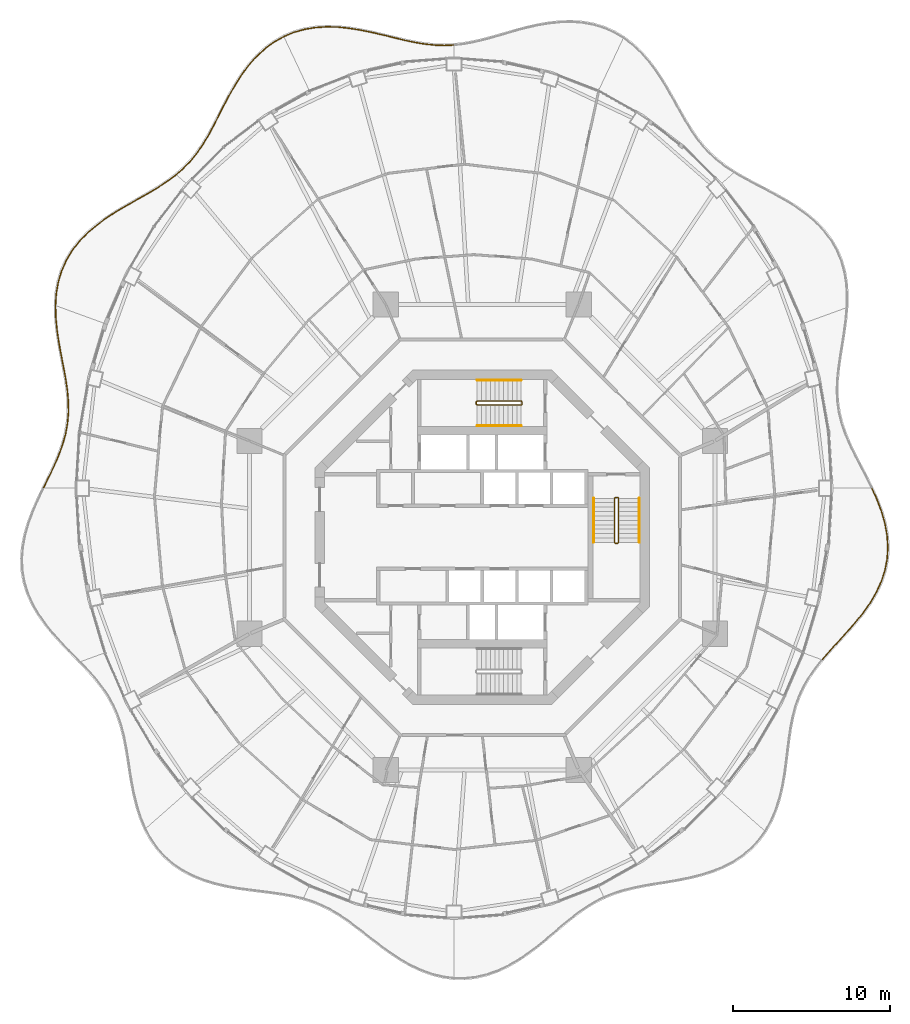
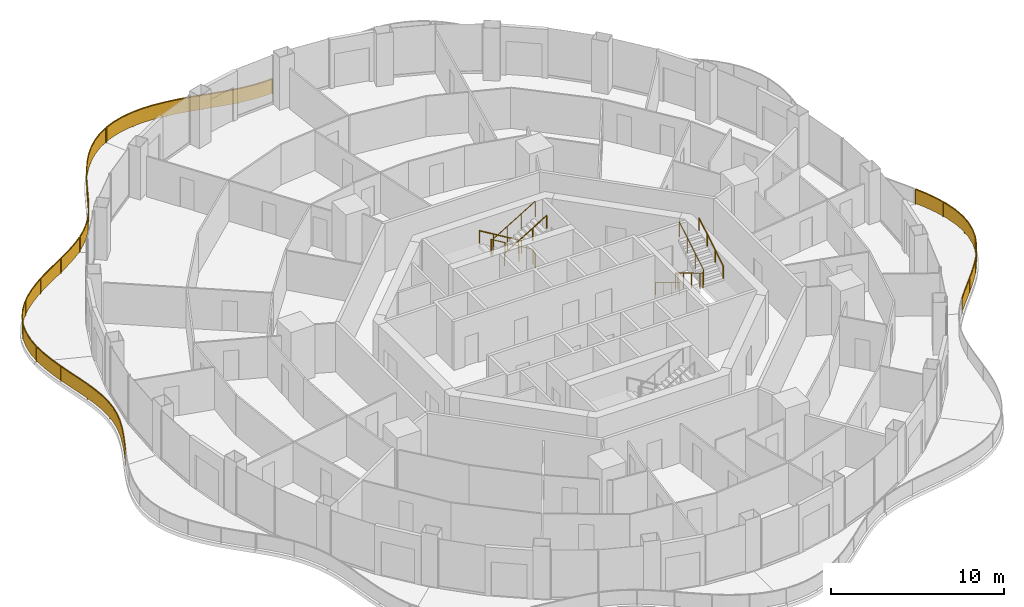
# One storey, part 17 of 18: 11 railings.
"""IFC4 building model written with IfcOpenShell, lengths in metres."""

from ifc_helpers import new_model, si_unit, direction, frame, origin, origin_2d, place, context, subcontext, project, spatial, polyline, rectangle, circle, outline, extrude, material, type_object, element, save


model = new_model("IFC4")

# Units and contexts
model_context = context("Model", 3, precision=1e-05, world=origin(), true_north=direction((0.0, 1.0)))
body_context = subcontext(model_context, "Body", "Model", "MODEL_VIEW")
ifc_project = project(units=[si_unit("LENGTHUNIT", "METRE"), si_unit("AREAUNIT", "SQUARE_METRE"), si_unit("VOLUMEUNIT", "CUBIC_METRE"), si_unit("PLANEANGLEUNIT", "RADIAN"), si_unit("MASSUNIT", "GRAM", prefix="KILO")], contexts=[model_context])

# Site, building, storey
site_placement = place(None, origin())
site = spatial("IfcSite", under=ifc_project, at=site_placement, CompositionType="ELEMENT")
building_placement = place(site_placement, origin())
building = spatial("IfcBuilding", under=site, at=building_placement, Name="Nagisa Residences", CompositionType="ELEMENT")
storey_placement = place(building_placement, frame((0.0, 0.0, 245.5)))
storey = spatial("IfcBuildingStorey", under=building, at=storey_placement, Name="L62", CompositionType="ELEMENT", Elevation=245.5)

# Railings
ifc_material_1 = material(Name="Stainless steel 316", Category="steel")
railing_type_1 = type_object("IfcRailingType", Name="BALCONY GUARD 1100", PredefinedType="BALUSTRADE", material=ifc_material_1)
railing_1_placement = place(storey_placement, frame((-1.83447265625, 31.254638671875, 0.0)))
element("IfcRailing", 1, at=railing_1_placement, inside=storey, type_object=railing_type_1, Name="guard:L62:bal04-0", PredefinedType="BALUSTRADE", context=body_context, shape_type="SweptSolid", body=[
    extrude(outline(polyline([(-0.57568359375, -0.048583984375), (0.0009765625, -0.02490234375), (-0.0009765625, 0.02490234375), (-0.57568359375, 0.001708984375), (-1.195068359375, 0.0234375), (-1.821533203125, 0.08984375), (-2.45947265625, 0.195556640625), (-3.112060546875, 0.332763671875), (-3.76416015625, 0.493896484375), (-4.451171875, 0.66162109375), (-5.154541015625, 0.82568359375), (-5.871826171875, 0.97265625), (-6.59814453125, 1.088623046875), (-7.31201171875, 1.166015625), (-8.040771484375, 1.184326171875), (-8.759521484375, 1.137939453125), (-9.46142578125, 1.02099609375), (-10.13916015625, 0.8291015625), (-10.740478515625, 0.57958984375), (-10.721435546875, 0.533203125), (-10.12255859375, 0.78173828125), (-9.45068359375, 0.97216796875), (-8.753662109375, 1.088134765625), (-8.039794921875, 1.134033203125), (-7.3154296875, 1.1162109375), (-6.60498046875, 1.038818359375), (-5.880615234375, 0.92333984375), (-5.165283203125, 0.77685546875), (-4.462890625, 0.61279296875), (-3.77587890625, 0.445068359375), (-3.123291015625, 0.283935546875), (-2.46875, 0.146240234375), (-1.828369140625, 0.0400390625), (-1.198486328125, -0.0263671875), (-0.57568359375, -0.048583984375)])), frame((0.0, 0.0, 1.050048828125)), (0.0, 0.0, 1.0), 0.050048828125),
    extrude(outline(polyline([(-0.57568359375, -0.030517578125), (0.000244140625, -0.007080078125), (-0.000244140625, 0.007080078125), (-0.57568359375, -0.016357421875), (-1.1962890625, 0.005615234375), (-1.823974609375, 0.07177734375), (-2.462890625, 0.177734375), (-3.1162109375, 0.315185546875), (-3.768310546875, 0.476318359375), (-4.455322265625, 0.64404296875), (-5.158447265625, 0.80810546875), (-5.875, 0.954833984375), (-6.6005859375, 1.070556640625), (-7.313232421875, 1.148193359375), (-8.04052734375, 1.166259765625), (-8.75732421875, 1.1201171875), (-9.45751953125, 1.00341796875), (-10.133056640625, 0.81201171875), (-10.733642578125, 0.562744140625), (-10.728271484375, 0.550048828125), (-10.128662109375, 0.798828125), (-9.45458984375, 0.98974609375), (-8.755859375, 1.10595703125), (-8.0400390625, 1.152099609375), (-7.314208984375, 1.134033203125), (-6.6025390625, 1.056884765625), (-5.87744140625, 0.941162109375), (-5.161376953125, 0.79443359375), (-4.458740234375, 0.63037109375), (-3.771728515625, 0.462646484375), (-3.119140625, 0.301513671875), (-2.46533203125, 0.1640625), (-1.825927734375, 0.05810546875), (-1.197265625, -0.008544921875), (-0.57568359375, -0.030517578125)])), frame((0.0, 0.0, 0.06005859375)), (0.0, 0.0, 1.0), 0.989990234375),
    extrude(rectangle(XDim=0.0400390625, YDim=0.0400390625, at=origin_2d()), origin(), (0.0, 0.0, 1.0), 1.050048828125),
    extrude(rectangle(XDim=0.0400390625, YDim=0.0400390625, at=origin_2d()), frame((-2.177490234375, 0.123291015625, 0.0)), (0.0, 0.0, 1.0), 1.050048828125),
    extrude(rectangle(XDim=0.0400390625, YDim=0.0400390625, at=origin_2d()), frame((-4.310302734375, 0.601318359375, 0.0)), (0.0, 0.0, 1.0), 1.050048828125),
    extrude(rectangle(XDim=0.0400390625, YDim=0.0400390625, at=origin_2d()), frame((-6.451416015625, 1.039794921875, 0.0)), (0.0, 0.0, 1.0), 1.050048828125),
    extrude(rectangle(XDim=0.0400390625, YDim=0.0400390625, at=origin_2d()), frame((-8.63037109375, 1.12109375, 0.0)), (0.0, 0.0, 1.0), 1.050048828125),
    extrude(rectangle(XDim=0.0400390625, YDim=0.0400390625, at=origin_2d()), frame((-10.73095703125, 0.556396484375, 0.0)), (0.0, 0.0, 1.0), 1.050048828125),
])
railing_2_placement = place(storey_placement, frame((-12.635009765625, 31.777099609375, 0.0)))
element("IfcRailing", 2, at=railing_2_placement, inside=storey, type_object=railing_type_1, Name="guard:L62:bal05-0", PredefinedType="BALUSTRADE", context=body_context, shape_type="SweptSolid", body=[
    extrude(outline(polyline([(-0.574462890625, -0.35400390625), (0.012451171875, -0.021728515625), (-0.012451171875, 0.021728515625), (-0.601806640625, -0.31201171875), (-1.189697265625, -0.745361328125), (-1.731201171875, -1.246337890625), (-2.225830078125, -1.80517578125), (-2.67431640625, -2.4091796875), (-3.07080078125, -3.037841796875), (-3.446044921875, -3.694091796875), (-3.79541015625, -4.35595703125), (-4.128662109375, -5.010498046875), (-4.45654296875, -5.6474609375), (-4.7763671875, -6.246337890625), (-5.12353515625, -6.82177734375), (-5.49462890625, -7.359375), (-5.897705078125, -7.856689453125), (-6.337890625, -8.31591796875), (-6.787353515625, -8.712158203125), (-6.754150390625, -8.749755859375), (-6.30322265625, -8.35205078125), (-5.860107421875, -7.889892578125), (-5.45458984375, -7.38916015625), (-5.08154296875, -6.84912109375), (-4.73291015625, -6.271240234375), (-4.412109375, -5.6708984375), (-4.084228515625, -5.033447265625), (-3.7509765625, -4.37890625), (-3.402099609375, -3.718017578125), (-3.02783203125, -3.063720703125), (-2.6328125, -2.4375), (-2.186767578125, -1.8369140625), (-1.695556640625, -1.281494140625), (-1.157958984375, -0.783935546875), (-0.574462890625, -0.35400390625)])), frame((0.0, 0.0, 1.050048828125)), (0.0, 0.0, 1.0), 0.050048828125),
    extrude(outline(polyline([(-0.584228515625, -0.3388671875), (0.00341796875, -0.006103515625), (-0.00341796875, 0.006103515625), (-0.592041015625, -0.3271484375), (-1.17822265625, -0.75927734375), (-1.718505859375, -1.259033203125), (-2.211669921875, -1.816650390625), (-2.659423828125, -2.41943359375), (-3.055419921875, -3.047119140625), (-3.43017578125, -3.70263671875), (-3.779296875, -4.3642578125), (-4.11279296875, -5.018798828125), (-4.4404296875, -5.656005859375), (-4.7607421875, -6.25537109375), (-5.1083984375, -6.83154296875), (-5.480224609375, -7.3701171875), (-5.88427734375, -7.86865234375), (-6.325439453125, -8.328857421875), (-6.775390625, -8.7255859375), (-6.76611328125, -8.736328125), (-6.315673828125, -8.339111328125), (-5.87353515625, -7.8779296875), (-5.468994140625, -7.37841796875), (-5.0966796875, -6.83935546875), (-4.74853515625, -6.26220703125), (-4.42822265625, -5.662353515625), (-4.10009765625, -5.025146484375), (-3.76708984375, -4.37060546875), (-3.41796875, -3.70947265625), (-3.043212890625, -3.054443359375), (-2.647705078125, -2.42724609375), (-2.200927734375, -1.825439453125), (-1.708251953125, -1.268798828125), (-1.16943359375, -0.77001953125), (-0.584228515625, -0.3388671875)])), frame((0.0, 0.0, 0.06005859375)), (0.0, 0.0, 1.0), 0.989990234375),
    extrude(rectangle(XDim=0.0400390625, YDim=0.0400390625, at=origin_2d()), origin(), (0.0, 0.0, 1.0), 1.050048828125),
    extrude(rectangle(XDim=0.0400390625, YDim=0.0400390625, at=origin_2d()), frame((-1.782958984375, -1.342529296875, 0.0)), (0.0, 0.0, 1.0), 1.050048828125),
    extrude(rectangle(XDim=0.0400390625, YDim=0.0400390625, at=origin_2d()), frame((-3.10498046875, -3.1484375, 0.0)), (0.0, 0.0, 1.0), 1.050048828125),
    extrude(rectangle(XDim=0.0400390625, YDim=0.0400390625, at=origin_2d()), frame((-4.16064453125, -5.12744140625, 0.0)), (0.0, 0.0, 1.0), 1.050048828125),
    extrude(rectangle(XDim=0.0400390625, YDim=0.0400390625, at=origin_2d()), frame((-5.2685546875, -7.07568359375, 0.0)), (0.0, 0.0, 1.0), 1.050048828125),
    extrude(rectangle(XDim=0.0400390625, YDim=0.0400390625, at=origin_2d()), frame((-6.770751953125, -8.73095703125, 0.0)), (0.0, 0.0, 1.0), 1.050048828125),
])
railing_3_placement = place(storey_placement, frame((-19.461181640625, 23.003173828125, 0.0)))
element("IfcRailing", 3, at=railing_3_placement, inside=storey, type_object=railing_type_1, Name="guard:L62:bal06-0", PredefinedType="BALUSTRADE", context=body_context, shape_type="SweptSolid", body=[
    extrude(outline(polyline([(-0.501953125, -0.408935546875), (0.01513671875, -0.02001953125), (-0.01513671875, 0.02001953125), (-0.53076171875, -0.367919921875), (-1.1220703125, -0.757568359375), (-1.75, -1.13330078125), (-2.4052734375, -1.506103515625), (-3.075927734375, -1.886474609375), (-3.740234375, -2.2724609375), (-4.399658203125, -2.698486328125), (-5.030029296875, -3.1591796875), (-5.616455078125, -3.660400390625), (-6.14501953125, -4.206298828125), (-6.59765625, -4.78369140625), (-6.978271484375, -5.41796875), (-7.27490234375, -6.092529296875), (-7.48583984375, -6.8017578125), (-7.61328125, -7.5390625), (-7.658203125, -8.250244140625), (-7.6083984375, -8.253173828125), (-7.5634765625, -7.544921875), (-7.43701171875, -6.81298828125), (-7.22802734375, -6.109619140625), (-6.933837890625, -5.44091796875), (-6.55615234375, -4.81201171875), (-6.107421875, -4.239013671875), (-5.582275390625, -3.697021484375), (-4.998779296875, -3.1982421875), (-4.371337890625, -2.739501953125), (-3.7138671875, -2.31494140625), (-3.051025390625, -1.929931640625), (-2.38037109375, -1.549560546875), (-1.724609375, -1.1767578125), (-1.09521484375, -0.800048828125), (-0.501953125, -0.408935546875)])), frame((0.0, 0.0, 1.050048828125)), (0.0, 0.0, 1.0), 0.050048828125),
    extrude(outline(polyline([(-0.51220703125, -0.39404296875), (0.004150390625, -0.005615234375), (-0.004150390625, 0.005615234375), (-0.5205078125, -0.3828125), (-1.1123046875, -0.77294921875), (-1.74072265625, -1.14892578125), (-2.396240234375, -1.521728515625), (-3.06689453125, -1.902099609375), (-3.730712890625, -2.287841796875), (-4.389404296875, -2.713134765625), (-5.018798828125, -3.173095703125), (-5.604248046875, -3.673583984375), (-6.131591796875, -4.218017578125), (-6.582763671875, -4.7939453125), (-6.96240234375, -5.42626953125), (-7.258056640625, -6.0986328125), (-7.46826171875, -6.8056640625), (-7.595458984375, -7.541259765625), (-7.640380859375, -8.251220703125), (-7.626220703125, -8.252197265625), (-7.581298828125, -7.542724609375), (-7.45458984375, -6.80908203125), (-7.244873046875, -6.103515625), (-6.94970703125, -5.4326171875), (-6.571044921875, -4.8017578125), (-6.120849609375, -4.227294921875), (-5.594482421875, -3.683837890625), (-5.010009765625, -3.184326171875), (-4.381591796875, -2.724853515625), (-3.723388671875, -2.299560546875), (-3.06005859375, -1.914306640625), (-2.389404296875, -1.533935546875), (-1.73388671875, -1.1611328125), (-1.10498046875, -0.78466796875), (-0.51220703125, -0.39404296875)])), frame((0.0, 0.0, 0.06005859375)), (0.0, 0.0, 1.0), 0.989990234375),
    extrude(rectangle(XDim=0.0400390625, YDim=0.0400390625, at=origin_2d()), origin(), (0.0, 0.0, 1.0), 1.050048828125),
    extrude(rectangle(XDim=0.0400390625, YDim=0.0400390625, at=origin_2d()), frame((-1.98486328125, -1.2958984375, 0.0)), (0.0, 0.0, 1.0), 1.050048828125),
    extrude(rectangle(XDim=0.0400390625, YDim=0.0400390625, at=origin_2d()), frame((-4.033935546875, -2.491943359375, 0.0)), (0.0, 0.0, 1.0), 1.050048828125),
    extrude(rectangle(XDim=0.0400390625, YDim=0.0400390625, at=origin_2d()), frame((-5.8818359375, -3.97021484375, 0.0)), (0.0, 0.0, 1.0), 1.050048828125),
    extrude(rectangle(XDim=0.0400390625, YDim=0.0400390625, at=origin_2d()), frame((-7.17919921875, -5.936767578125, 0.0)), (0.0, 0.0, 1.0), 1.050048828125),
    extrude(rectangle(XDim=0.0400390625, YDim=0.0400390625, at=origin_2d()), frame((-7.63330078125, -8.251708984375, 0.0)), (0.0, 0.0, 1.0), 1.050048828125),
])
railing_4_placement = place(storey_placement, frame((-27.09521484375, 14.674072265625, 0.0)))
element("IfcRailing", 4, at=railing_4_placement, inside=storey, type_object=railing_type_1, Name="guard:L62:bal07-0", PredefinedType="BALUSTRADE", context=body_context, shape_type="SweptSolid", body=[
    extrude(outline(polyline([(0.04541015625, -0.74560546875), (0.02490234375, 0.000732421875), (-0.02490234375, -0.000732421875), (-0.00439453125, -0.74853515625), (0.07373046875, -1.5478515625), (0.194091796875, -2.343505859375), (0.337890625, -3.12939453125), (0.486572265625, -3.900390625), (0.625244140625, -4.639404296875), (0.729736328125, -5.3720703125), (0.78955078125, -6.08544921875), (0.79296875, -6.78173828125), (0.7333984375, -7.46484375), (0.60986328125, -8.1259765625), (0.42041015625, -8.797607421875), (0.17333984375, -9.471923828125), (-0.12109375, -10.1533203125), (-0.44873046875, -10.845947265625), (-0.775146484375, -11.511474609375), (-0.730224609375, -11.533447265625), (-0.40380859375, -10.867431640625), (-0.07568359375, -10.173828125), (0.2197265625, -9.490478515625), (0.46826171875, -8.813232421875), (0.65869140625, -8.13720703125), (0.783203125, -7.4716796875), (0.84326171875, -6.78369140625), (0.83935546875, -6.0830078125), (0.779541015625, -5.3662109375), (0.674560546875, -4.631103515625), (0.535888671875, -3.89111328125), (0.38720703125, -3.1201171875), (0.243408203125, -2.335205078125), (0.12353515625, -1.54150390625), (0.04541015625, -0.74560546875)])), frame((0.0, 0.0, 1.050048828125)), (0.0, 0.0, 1.0), 0.050048828125),
    extrude(outline(polyline([(0.027587890625, -0.74658203125), (0.007080078125, 0.000244140625), (-0.007080078125, -0.000244140625), (0.013427734375, -0.74755859375), (0.091796875, -1.545654296875), (0.2119140625, -2.340576171875), (0.355712890625, -3.1259765625), (0.50439453125, -3.89697265625), (0.64306640625, -4.636474609375), (0.74755859375, -5.369873046875), (0.807373046875, -6.08447265625), (0.81103515625, -6.782470703125), (0.75146484375, -7.46728515625), (0.62744140625, -8.1298828125), (0.437744140625, -8.80322265625), (0.18994140625, -9.478515625), (-0.104736328125, -10.16064453125), (-0.4326171875, -10.853759765625), (-0.759033203125, -11.519287109375), (-0.746337890625, -11.525634765625), (-0.419921875, -10.859619140625), (-0.092041015625, -10.16650390625), (0.203125, -9.48388671875), (0.450927734375, -8.8076171875), (0.64111328125, -8.13330078125), (0.76513671875, -7.46923828125), (0.8251953125, -6.782958984375), (0.821533203125, -6.083984375), (0.76171875, -5.368408203125), (0.65673828125, -4.634033203125), (0.51806640625, -3.89453125), (0.369384765625, -3.12353515625), (0.2255859375, -2.338134765625), (0.10546875, -1.543701171875), (0.027587890625, -0.74658203125)])), frame((0.0, 0.0, 0.06005859375)), (0.0, 0.0, 1.0), 0.989990234375),
    extrude(rectangle(XDim=0.0400390625, YDim=0.0400390625, at=origin_2d()), origin(), (0.0, 0.0, 1.0), 1.050048828125),
    extrude(rectangle(XDim=0.0400390625, YDim=0.0400390625, at=origin_2d()), frame((0.222900390625, -2.362548828125, 0.0)), (0.0, 0.0, 1.0), 1.050048828125),
    extrude(rectangle(XDim=0.0400390625, YDim=0.0400390625, at=origin_2d()), frame((0.658935546875, -4.6982421875, 0.0)), (0.0, 0.0, 1.0), 1.050048828125),
    extrude(rectangle(XDim=0.0400390625, YDim=0.0400390625, at=origin_2d()), frame((0.79345703125, -7.06396484375, 0.0)), (0.0, 0.0, 1.0), 1.050048828125),
    extrude(rectangle(XDim=0.0400390625, YDim=0.0400390625, at=origin_2d()), frame((0.239501953125, -9.3642578125, 0.0)), (0.0, 0.0, 1.0), 1.050048828125),
    extrude(rectangle(XDim=0.0400390625, YDim=0.0400390625, at=origin_2d()), frame((-0.752685546875, -11.5224609375, 0.0)), (0.0, 0.0, 1.0), 1.050048828125),
])
railing_5_placement = place(storey_placement, frame((21.59521484375, -7.749267578125, 0.0)))
element("IfcRailing", 5, at=railing_5_placement, inside=storey, type_object=railing_type_1, Name="guard:L62:bal15-0", PredefinedType="BALUSTRADE", context=body_context, shape_type="SweptSolid", body=[
    extrude(outline(polyline([(0.451904296875, 0.551513671875), (-0.018798828125, 0.0166015625), (0.018798828125, -0.0166015625), (0.489013671875, 0.518310546875), (1.01416015625, 1.09130859375), (1.55078125, 1.676513671875), (2.08056640625, 2.280029296875), (2.585205078125, 2.906005859375), (3.0419921875, 3.543701171875), (3.441162109375, 4.220947265625), (3.76416015625, 4.923583984375), (4.0, 5.647705078125), (4.141357421875, 6.389892578125), (4.183837890625, 7.130615234375), (4.132568359375, 7.890869140625), (3.9921875, 8.651611328125), (3.773681640625, 9.40673828125), (3.491455078125, 10.15234375), (3.178466796875, 10.842529296875), (3.133056640625, 10.822021484375), (3.445068359375, 10.13330078125), (3.726318359375, 9.39111328125), (3.943359375, 8.639892578125), (4.082763671875, 7.884521484375), (4.133544921875, 7.130126953125), (4.091552734375, 6.396240234375), (3.95166015625, 5.660400390625), (3.71728515625, 4.941650390625), (3.396728515625, 4.244384765625), (3.0, 3.571044921875), (2.545166015625, 2.936279296875), (2.04248046875, 2.312255859375), (1.513671875, 1.709716796875), (0.97705078125, 1.125), (0.451904296875, 0.551513671875)])), frame((0.0, 0.0, 1.050048828125)), (0.0, 0.0, 1.0), 0.050048828125),
    extrude(outline(polyline([(0.46533203125, 0.53955078125), (-0.00537109375, 0.004638671875), (0.00537109375, -0.004638671875), (0.4755859375, 0.5302734375), (1.000732421875, 1.103515625), (1.537353515625, 1.6884765625), (2.06689453125, 2.291748046875), (2.57080078125, 2.9169921875), (3.02685546875, 3.553466796875), (3.425048828125, 4.2294921875), (3.747314453125, 4.93017578125), (3.982666015625, 5.65234375), (4.12353515625, 6.39208984375), (4.165771484375, 7.13037109375), (4.114501953125, 7.888671875), (3.974609375, 8.6474609375), (3.756591796875, 9.401123046875), (3.474609375, 10.1455078125), (3.162109375, 10.835205078125), (3.1494140625, 10.829345703125), (3.4619140625, 10.14013671875), (3.743408203125, 9.396728515625), (3.9609375, 8.64404296875), (4.100830078125, 7.88671875), (4.151611328125, 7.13037109375), (4.109375, 6.39404296875), (3.968994140625, 5.65576171875), (3.734130859375, 4.93505859375), (3.412841796875, 4.23583984375), (3.01513671875, 3.561279296875), (2.5595703125, 2.92529296875), (2.05615234375, 2.300537109375), (1.527099609375, 1.69775390625), (0.990478515625, 1.11279296875), (0.46533203125, 0.53955078125)])), frame((0.0, 0.0, 0.06005859375)), (0.0, 0.0, 1.0), 0.989990234375),
    extrude(rectangle(XDim=0.0400390625, YDim=0.0400390625, at=origin_2d()), origin(), (0.0, 0.0, 1.0), 1.050048828125),
    extrude(rectangle(XDim=0.0400390625, YDim=0.0400390625, at=origin_2d()), frame((1.37890625, 1.526123046875, 0.0)), (0.0, 0.0, 1.0), 1.050048828125),
    extrude(rectangle(XDim=0.0400390625, YDim=0.0400390625, at=origin_2d()), frame((2.6962890625, 3.104248046875, 0.0)), (0.0, 0.0, 1.0), 1.050048828125),
    extrude(rectangle(XDim=0.0400390625, YDim=0.0400390625, at=origin_2d()), frame((3.7177734375, 4.8828125, 0.0)), (0.0, 0.0, 1.0), 1.050048828125),
    extrude(rectangle(XDim=0.0400390625, YDim=0.0400390625, at=origin_2d()), frame((4.14453125, 6.88330078125, 0.0)), (0.0, 0.0, 1.0), 1.050048828125),
    extrude(rectangle(XDim=0.0400390625, YDim=0.0400390625, at=origin_2d()), frame((3.89013671875, 8.914306640625, 0.0)), (0.0, 0.0, 1.0), 1.050048828125),
    extrude(rectangle(XDim=0.0400390625, YDim=0.0400390625, at=origin_2d()), frame((3.15576171875, 10.832275390625, 0.0)), (0.0, 0.0, 1.0), 1.050048828125),
])
ifc_material_2 = material(Name="Stainless steel", Category="steel")
railing_type_2 = type_object("IfcRailingType", Name="Stair guard 1100", PredefinedType="GUARDRAIL", material=ifc_material_2)
railing_6_placement = place(storey_placement, frame((8.599609375, 2.52490234375, 0.0)))
element("IfcRailing", 6, at=railing_6_placement, inside=storey, type_object=railing_type_2, Name="L62 ST-E stair guard 1", PredefinedType="GUARDRAIL", context=body_context, shape_type="SweptSolid", body=[
    extrude(circle(Radius=0.02392578125, at=origin_2d()), frame((0.0, 0.0, 1.076171875), z_axis=(-1.0, 0.0, 0.0), x_axis=(0.0, -1.0, 0.0)), (0.0, 0.0, 1.0), 0.14990234375),
    extrude(circle(Radius=0.02392578125, at=origin_2d()), frame((-0.14990234375, 0.0, 1.076171875), z_axis=(-0.27434429532, -0.273006030465, 0.922064485248), x_axis=(0.705375805398, -0.708833529934, 0.0)), (0.0, 0.0, 1.0), 0.182373046875),
    extrude(circle(Radius=0.02392578125, at=origin_2d()), frame((-0.199951171875, -0.0498046875, 1.244140625), z_axis=(0.0, -0.857242210791, 0.514913383045), x_axis=(1.0, 0.0, 0.0)), (0.0, 0.0, 1.0), 3.266357421875),
    extrude(circle(Radius=0.02392578125, at=origin_2d()), frame((-0.199951171875, -2.849853515625, 2.92626953125), z_axis=(0.707106781187, -0.707106781187, 0.0), x_axis=(0.707106781187, 0.707106781187, 0.0)), (0.0, 0.0, 1.0), 0.07080078125),
    extrude(circle(Radius=0.02392578125, at=origin_2d()), frame((-0.14990234375, -2.89990234375, 2.92626953125), z_axis=(1.0, 0.0, 0.0), x_axis=(0.0, 1.0, 0.0)), (0.0, 0.0, 1.0), 0.14990234375),
    extrude(circle(Radius=0.02392578125, at=origin_2d()), frame((0.0, -2.89990234375, 2.92626953125), z_axis=(0.274582412415, 0.274582412415, 0.921525364591), x_axis=(-0.707106781187, 0.707106781187, 0.0)), (0.0, 0.0, 1.0), 0.182373046875),
    extrude(circle(Radius=0.02392578125, at=origin_2d()), frame((0.050048828125, -2.849853515625, 3.09423828125), z_axis=(0.0, 0.857242210791, 0.514913383045), x_axis=(-1.0, 0.0, 0.0)), (0.0, 0.0, 1.0), 3.266357421875),
    extrude(circle(Radius=0.02099609375, at=origin_2d()), origin(), (0.0, 0.0, 1.0), 1.052001953125),
    extrude(circle(Radius=0.02099609375, at=origin_2d()), frame((-0.14990234375, 0.0, 0.0)), (0.0, 0.0, 1.0), 1.052001953125),
    extrude(circle(Radius=0.02099609375, at=origin_2d()), frame((-0.199951171875, -0.0498046875, 0.168212890625)), (0.0, 0.0, 1.0), 1.052001953125),
    extrude(circle(Radius=0.02099609375, at=origin_2d()), frame((-0.199951171875, -0.983154296875, 0.728759765625)), (0.0, 0.0, 1.0), 1.052001953125),
    extrude(circle(Radius=0.02099609375, at=origin_2d()), frame((-0.199951171875, -1.91650390625, 1.28955078125)), (0.0, 0.0, 1.0), 1.052001953125),
    extrude(circle(Radius=0.02099609375, at=origin_2d()), frame((-0.199951171875, -2.849853515625, 1.85009765625)), (0.0, 0.0, 1.0), 1.052001953125),
    extrude(circle(Radius=0.02099609375, at=origin_2d()), frame((-0.14990234375, -2.89990234375, 1.85009765625)), (0.0, 0.0, 1.0), 1.052001953125),
    extrude(circle(Radius=0.02099609375, at=origin_2d()), frame((0.0, -2.89990234375, 1.85009765625)), (0.0, 0.0, 1.0), 1.052001953125),
    extrude(circle(Radius=0.02099609375, at=origin_2d()), frame((0.050048828125, -2.849853515625, 2.01806640625)), (0.0, 0.0, 1.0), 1.052001953125),
    extrude(circle(Radius=0.02099609375, at=origin_2d()), frame((0.050048828125, -1.91650390625, 2.57861328125)), (0.0, 0.0, 1.0), 1.052001953125),
    extrude(circle(Radius=0.02099609375, at=origin_2d()), frame((0.050048828125, -0.983154296875, 3.139404296875)), (0.0, 0.0, 1.0), 1.052001953125),
    extrude(circle(Radius=0.02099609375, at=origin_2d()), frame((0.050048828125, -0.0498046875, 3.699951171875)), (0.0, 0.0, 1.0), 1.052001953125),
])
railing_7_placement = place(storey_placement, frame((2.52490234375, 8.44970703125, 0.0)))
element("IfcRailing", 7, at=railing_7_placement, inside=storey, type_object=railing_type_2, Name="L62 ST-N stair guard 1", PredefinedType="GUARDRAIL", context=body_context, shape_type="SweptSolid", body=[
    extrude(circle(Radius=0.02392578125, at=origin_2d()), frame((0.0, 0.0, 1.076171875), z_axis=(0.0, 1.0, 0.0), x_axis=(-1.0, 0.0, 0.0)), (0.0, 0.0, 1.0), 0.14990234375),
    extrude(circle(Radius=0.02392578125, at=origin_2d()), frame((0.0, 0.14990234375, 1.076171875), z_axis=(-0.273006030465, 0.27434429532, 0.922064485248), x_axis=(-0.708833529934, -0.705375805398, 0.0)), (0.0, 0.0, 1.0), 0.182373046875),
    extrude(circle(Radius=0.02392578125, at=origin_2d()), frame((-0.0498046875, 0.199951171875, 1.244140625), z_axis=(-0.857242210791, 0.0, 0.514913383045), x_axis=(0.0, -1.0, 0.0)), (0.0, 0.0, 1.0), 3.266357421875),
    extrude(circle(Radius=0.02392578125, at=origin_2d()), frame((-2.849853515625, 0.199951171875, 2.92626953125), z_axis=(-0.707106781187, -0.707106781187, 0.0), x_axis=(0.707106781187, -0.707106781187, 0.0)), (0.0, 0.0, 1.0), 0.07080078125),
    extrude(circle(Radius=0.02392578125, at=origin_2d()), frame((-2.89990234375, 0.14990234375, 2.92626953125), z_axis=(0.0, -1.0, 0.0), x_axis=(1.0, 0.0, 0.0)), (0.0, 0.0, 1.0), 0.14990234375),
    extrude(circle(Radius=0.02392578125, at=origin_2d()), frame((-2.89990234375, 0.0, 2.92626953125), z_axis=(0.274582412415, -0.274582412415, 0.921525364591), x_axis=(0.707106781187, 0.707106781187, 0.0)), (0.0, 0.0, 1.0), 0.182373046875),
    extrude(circle(Radius=0.02392578125, at=origin_2d()), frame((-2.849853515625, -0.050048828125, 3.09423828125), z_axis=(0.857242210791, 0.0, 0.514913383045), x_axis=(0.0, 1.0, 0.0)), (0.0, 0.0, 1.0), 3.266357421875),
    extrude(circle(Radius=0.02099609375, at=origin_2d()), origin(), (0.0, 0.0, 1.0), 1.052001953125),
    extrude(circle(Radius=0.02099609375, at=origin_2d()), frame((0.0, 0.14990234375, 0.0)), (0.0, 0.0, 1.0), 1.052001953125),
    extrude(circle(Radius=0.02099609375, at=origin_2d()), frame((-0.0498046875, 0.199951171875, 0.168212890625)), (0.0, 0.0, 1.0), 1.052001953125),
    extrude(circle(Radius=0.02099609375, at=origin_2d()), frame((-0.983154296875, 0.199951171875, 0.728759765625)), (0.0, 0.0, 1.0), 1.052001953125),
    extrude(circle(Radius=0.02099609375, at=origin_2d()), frame((-1.91650390625, 0.199951171875, 1.28955078125)), (0.0, 0.0, 1.0), 1.052001953125),
    extrude(circle(Radius=0.02099609375, at=origin_2d()), frame((-2.849853515625, 0.199951171875, 1.85009765625)), (0.0, 0.0, 1.0), 1.052001953125),
    extrude(circle(Radius=0.02099609375, at=origin_2d()), frame((-2.89990234375, 0.14990234375, 1.85009765625)), (0.0, 0.0, 1.0), 1.052001953125),
    extrude(circle(Radius=0.02099609375, at=origin_2d()), frame((-2.89990234375, 0.0, 1.85009765625)), (0.0, 0.0, 1.0), 1.052001953125),
    extrude(circle(Radius=0.02099609375, at=origin_2d()), frame((-2.849853515625, -0.050048828125, 2.01806640625)), (0.0, 0.0, 1.0), 1.052001953125),
    extrude(circle(Radius=0.02099609375, at=origin_2d()), frame((-1.91650390625, -0.050048828125, 2.57861328125)), (0.0, 0.0, 1.0), 1.052001953125),
    extrude(circle(Radius=0.02099609375, at=origin_2d()), frame((-0.983154296875, -0.050048828125, 3.139404296875)), (0.0, 0.0, 1.0), 1.052001953125),
    extrude(circle(Radius=0.02099609375, at=origin_2d()), frame((-0.0498046875, -0.050048828125, 3.699951171875)), (0.0, 0.0, 1.0), 1.052001953125),
])
ifc_material_3 = material(Name="Stainless steel", Category="steel")
railing_type_3 = type_object("IfcRailingType", Name="Stair handrail 900", PredefinedType="HANDRAIL", material=ifc_material_3)
railing_8_placement = place(storey_placement, frame((7.07470703125, 2.47509765625, 0.168212890625)))
element("IfcRailing", 8, at=railing_8_placement, inside=storey, type_object=railing_type_3, Name="L62 ST-E stair handrail 1", PredefinedType="HANDRAIL", context=body_context, shape_type="SweptSolid", body=[
    extrude(circle(Radius=0.02392578125, at=origin_2d()), frame((0.0, 0.0, 0.8759765625), z_axis=(0.0, -0.857242210791, 0.514913383045), x_axis=(1.0, 0.0, 0.0)), (0.0, 0.0, 1.0), 3.266357421875),
    extrude(circle(Radius=0.02099609375, at=origin_2d()), origin(), (0.0, 0.0, 1.0), 0.851806640625),
    extrude(circle(Radius=0.02099609375, at=origin_2d()), frame((0.0, -0.933349609375, 0.560546875)), (0.0, 0.0, 1.0), 0.851806640625),
    extrude(circle(Radius=0.02099609375, at=origin_2d()), frame((0.0, -1.86669921875, 1.121337890625)), (0.0, 0.0, 1.0), 0.851806640625),
    extrude(circle(Radius=0.02099609375, at=origin_2d()), frame((0.0, -2.800048828125, 1.681884765625)), (0.0, 0.0, 1.0), 0.851806640625),
])
railing_9_placement = place(storey_placement, frame((9.974609375, -0.324951171875, 2.01806640625)))
element("IfcRailing", 9, at=railing_9_placement, inside=storey, type_object=railing_type_3, Name="L62 ST-E stair handrail 2", PredefinedType="HANDRAIL", context=body_context, shape_type="SweptSolid", body=[
    extrude(circle(Radius=0.02392578125, at=origin_2d()), frame((0.0, 0.0, 0.8759765625), z_axis=(0.0, 0.857242210791, 0.514913383045), x_axis=(-1.0, 0.0, 0.0)), (0.0, 0.0, 1.0), 3.266357421875),
    extrude(circle(Radius=0.02099609375, at=origin_2d()), origin(), (0.0, 0.0, 1.0), 0.851806640625),
    extrude(circle(Radius=0.02099609375, at=origin_2d()), frame((0.0, 0.933349609375, 0.560546875)), (0.0, 0.0, 1.0), 0.851806640625),
    extrude(circle(Radius=0.02099609375, at=origin_2d()), frame((0.0, 1.86669921875, 1.121337890625)), (0.0, 0.0, 1.0), 0.851806640625),
    extrude(circle(Radius=0.02099609375, at=origin_2d()), frame((0.0, 2.800048828125, 1.681884765625)), (0.0, 0.0, 1.0), 0.851806640625),
])
railing_10_placement = place(storey_placement, frame((2.47509765625, 9.974609375, 0.168212890625)))
element("IfcRailing", 10, at=railing_10_placement, inside=storey, type_object=railing_type_3, Name="L62 ST-N stair handrail 1", PredefinedType="HANDRAIL", context=body_context, shape_type="SweptSolid", body=[
    extrude(circle(Radius=0.02392578125, at=origin_2d()), frame((0.0, 0.0, 0.8759765625), z_axis=(-0.857242210791, 0.0, 0.514913383045), x_axis=(0.0, -1.0, 0.0)), (0.0, 0.0, 1.0), 3.266357421875),
    extrude(circle(Radius=0.02099609375, at=origin_2d()), origin(), (0.0, 0.0, 1.0), 0.851806640625),
    extrude(circle(Radius=0.02099609375, at=origin_2d()), frame((-0.933349609375, 0.0, 0.560546875)), (0.0, 0.0, 1.0), 0.851806640625),
    extrude(circle(Radius=0.02099609375, at=origin_2d()), frame((-1.86669921875, 0.0, 1.121337890625)), (0.0, 0.0, 1.0), 0.851806640625),
    extrude(circle(Radius=0.02099609375, at=origin_2d()), frame((-2.800048828125, 0.0, 1.681884765625)), (0.0, 0.0, 1.0), 0.851806640625),
])
railing_11_placement = place(storey_placement, frame((-0.324951171875, 7.07470703125, 2.01806640625)))
element("IfcRailing", 11, at=railing_11_placement, inside=storey, type_object=railing_type_3, Name="L62 ST-N stair handrail 2", PredefinedType="HANDRAIL", context=body_context, shape_type="SweptSolid", body=[
    extrude(circle(Radius=0.02392578125, at=origin_2d()), frame((0.0, 0.0, 0.8759765625), z_axis=(0.857242210791, 0.0, 0.514913383045), x_axis=(0.0, 1.0, 0.0)), (0.0, 0.0, 1.0), 3.266357421875),
    extrude(circle(Radius=0.02099609375, at=origin_2d()), origin(), (0.0, 0.0, 1.0), 0.851806640625),
    extrude(circle(Radius=0.02099609375, at=origin_2d()), frame((0.933349609375, 0.0, 0.560546875)), (0.0, 0.0, 1.0), 0.851806640625),
    extrude(circle(Radius=0.02099609375, at=origin_2d()), frame((1.86669921875, 0.0, 1.121337890625)), (0.0, 0.0, 1.0), 0.851806640625),
    extrude(circle(Radius=0.02099609375, at=origin_2d()), frame((2.800048828125, 0.0, 1.681884765625)), (0.0, 0.0, 1.0), 0.851806640625),
])

save(model, "model.ifc")
